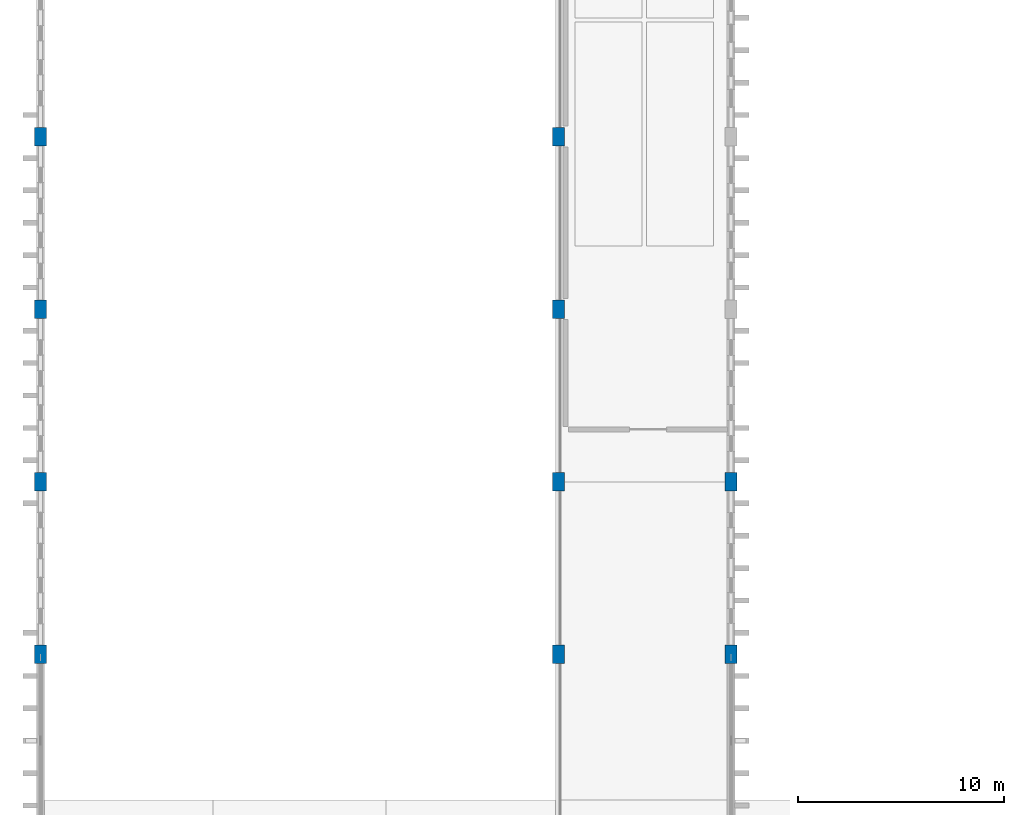
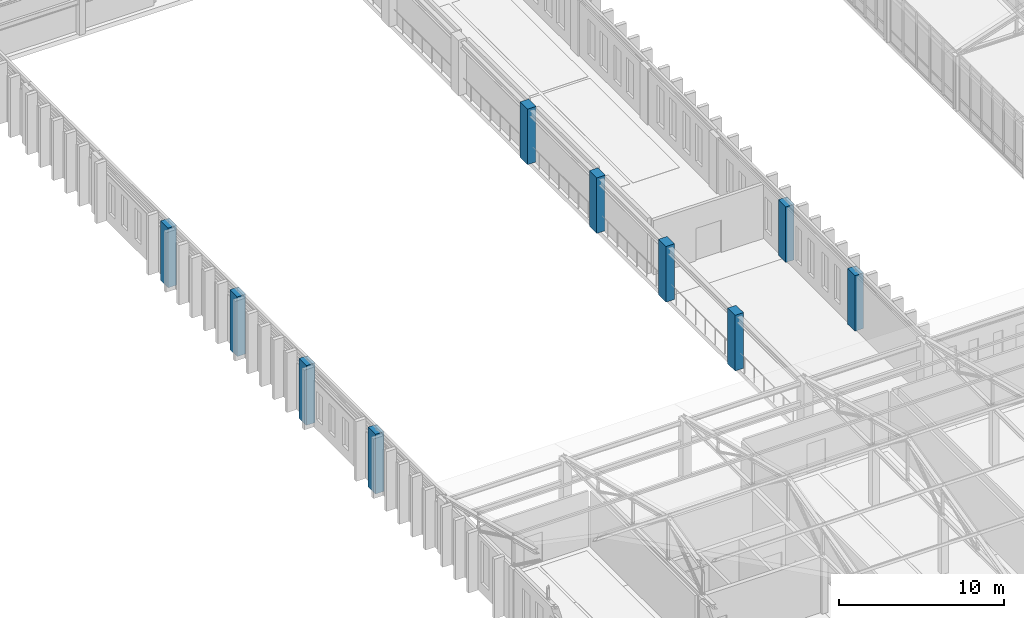
# One storey, part 3 of 192: 10 columns.
"""IFC4 building model written with IfcOpenShell, lengths in metres."""

from ifc_helpers import new_model, si_unit, direction, frame, origin, origin_2d, place, context, subcontext, project, spatial, rectangle, extrude, material, material_profile, profile_set, type_object, element, save


model = new_model("IFC4")

# Units and contexts
model_context = context("Model", 3, precision=1e-05, world=origin(), true_north=direction((0.0, 1.0)))
body_context = subcontext(model_context, "Body", "Model", "MODEL_VIEW")
ifc_project = project(units=[si_unit("LENGTHUNIT", "METRE"), si_unit("AREAUNIT", "SQUARE_METRE"), si_unit("VOLUMEUNIT", "CUBIC_METRE"), si_unit("PLANEANGLEUNIT", "RADIAN"), si_unit("MASSUNIT", "GRAM", prefix="KILO")], contexts=[model_context])

# Site, building, storey
site_placement = place(None, origin())
site = spatial("IfcSite", under=ifc_project, at=site_placement, CompositionType="ELEMENT")
building_placement = place(site_placement, origin())
building = spatial("IfcBuilding", under=site, at=building_placement, Name="Kveldsbrygga Polytechnic", CompositionType="ELEMENT")
storey_placement = place(building_placement, frame((0.0, 0.0, 5.43994140625)))
storey = spatial("IfcBuildingStorey", under=building, at=storey_placement, Name="L01", CompositionType="ELEMENT", Elevation=5.43994140625)

# Columns
ifc_material = material(Name="Concrete C45/55", Category="concrete")
ifc_material_profile = material_profile(ifc_material, rectangle(XDim=0.60009765625, YDim=0.89990234375, at=origin_2d()), Name="RC 600x900")
ifc_profile_set = profile_set([ifc_material_profile], Name="Concrete C45/55")
column_type = type_object("IfcColumnType", Name="COL-CRANE-900", PredefinedType="COLUMN", material=ifc_profile_set)
for number, where, z_axis, x_axis, name in (
    (1, (0.0, 33.60009765625, -0.300048828125), (0.0, 0.0, 1.0), (1.0, 0.0, 0.0), "Column COL-L01-00-04"),
    (2, (0.0, 42.0, -0.300048828125), (0.0, 0.0, 1.0), (1.0, 0.0, 0.0), "Column COL-L01-00-05"),
    (3, (0.0, 50.39990234375, -0.300048828125), (0.0, 0.0, 1.0), (1.0, 0.0, 0.0), "Column COL-L01-00-06"),
    (4, (0.0, 58.800048828125, -0.300048828125), (0.0, 0.0, 1.0), (1.0, 0.0, 0.0), "Column COL-L01-00-07"),
):
    element("IfcColumn", number, at=place(storey_placement, frame(where, z_axis=z_axis, x_axis=x_axis)), inside=storey, type_object=column_type, Name=name, PredefinedType="COLUMN", context=body_context, shape_type="SweptSolid", body=[
        extrude(rectangle(XDim=0.60009765625, YDim=0.89990234375, at=origin_2d()), origin(), (0.0, 0.0, 1.0), 4.420166015625),
    ])
for number, where, z_axis, x_axis, name in (
    (5, (25.199951171875, 33.60009765625, 0.0), (0.0, 0.0, 1.0), (1.0, 0.0, 0.0), "Column COL-L01-03-04"),
    (6, (25.199951171875, 42.0, 0.0), (0.0, 0.0, 1.0), (1.0, 0.0, 0.0), "Column COL-L01-03-05"),
    (7, (25.199951171875, 50.39990234375, 0.0), (0.0, 0.0, 1.0), (1.0, 0.0, 0.0), "Column COL-L01-03-06"),
    (8, (25.199951171875, 58.800048828125, 0.0), (0.0, 0.0, 1.0), (1.0, 0.0, 0.0), "Column COL-L01-03-07"),
    (9, (33.60009765625, 33.60009765625, 0.0), (0.0, 0.0, 1.0), (1.0, 0.0, 0.0), "Column COL-L01-04-04"),
    (10, (33.60009765625, 42.0, 0.0), (0.0, 0.0, 1.0), (1.0, 0.0, 0.0), "Column COL-L01-04-05"),
):
    element("IfcColumn", number, at=place(storey_placement, frame(where, z_axis=z_axis, x_axis=x_axis)), inside=storey, type_object=column_type, Name=name, PredefinedType="COLUMN", context=body_context, shape_type="SweptSolid", body=[
        extrude(rectangle(XDim=0.60009765625, YDim=0.89990234375, at=origin_2d()), origin(), (0.0, 0.0, 1.0), 4.1201171875),
    ])

save(model, "model.ifc")
